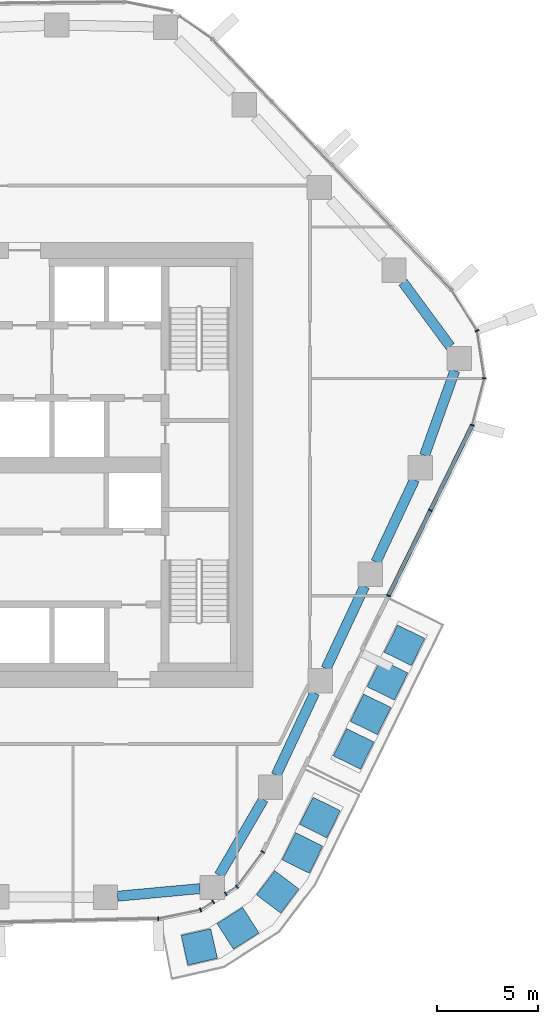
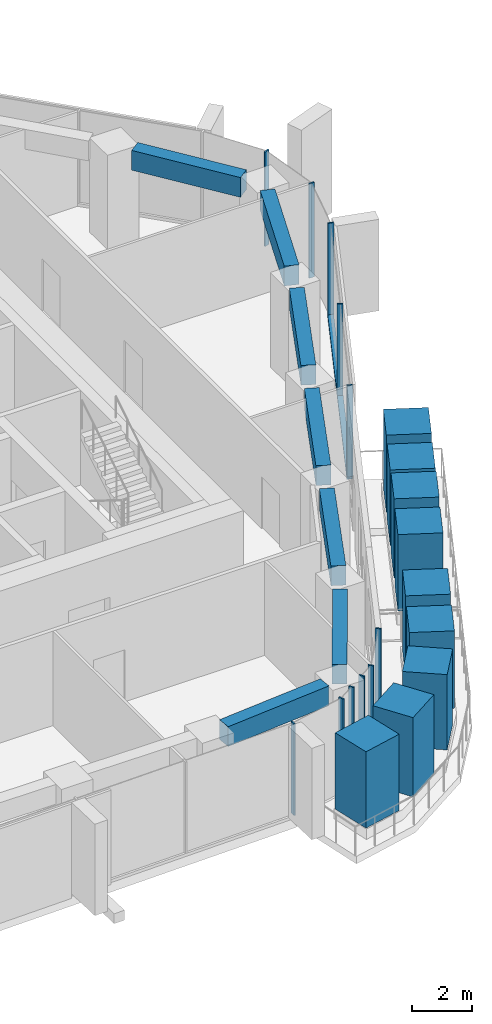
# One storey, part 4 of 17: 21 members, 7 beams, 5 elements without a shape of their own.
"""IFC4 building model written with IfcOpenShell, lengths in metres."""

from ifc_helpers import new_model, si_unit, direction, frame, origin, origin_2d, place, context, subcontext, project, spatial, rectangle, extrude, material, layer, layer_set, material_profile, profile_set, type_object, element, aggregate, save


model = new_model("IFC4")

# Units and contexts
model_context = context("Model", 3, precision=1e-05, world=origin(), true_north=direction((0.0, 1.0)))
body_context = subcontext(model_context, "Body", "Model", "MODEL_VIEW")
ifc_project = project(units=[si_unit("LENGTHUNIT", "METRE"), si_unit("AREAUNIT", "SQUARE_METRE"), si_unit("VOLUMEUNIT", "CUBIC_METRE"), si_unit("PLANEANGLEUNIT", "RADIAN"), si_unit("MASSUNIT", "GRAM", prefix="KILO")], contexts=[model_context])

# Site, building, storey
site_placement = place(None, origin())
site = spatial("IfcSite", under=ifc_project, at=site_placement, CompositionType="ELEMENT")
building_placement = place(site_placement, origin())
building = spatial("IfcBuilding", under=site, at=building_placement, Name="Dongbaek Canopy Tower", CompositionType="ELEMENT")
storey_placement = place(building_placement, frame((0.0, 0.0, 211.39990234375)))
storey = spatial("IfcBuildingStorey", under=building, at=storey_placement, Name="L44", CompositionType="ELEMENT", Elevation=211.39990234375)

# Curtain wall, members
ifc_material_1 = material(Name="Aluminium 6063-T6 pale anodised", Category="aluminium")
ifc_layer = layer(ifc_material_1, 0.199951171875)
ifc_layer_set = layer_set([ifc_layer], Name="CW-1 unitised tower curtain wall")
curtain_wall_type = type_object("IfcCurtainWallType", Name="CW-1 unitised tower curtain wall", PredefinedType="NOTDEFINED", material=ifc_layer_set)
curtain_wall_1_placement = place(storey_placement, origin())
curtain_wall_1 = element("IfcCurtainWall", 1, at=curtain_wall_1_placement, inside=storey, type_object=curtain_wall_type, Name="CW-1 curtain wall K0.1", PredefinedType="NOTDEFINED")
ifc_material_2 = material(Name="Aluminium 6063-T6 pale anodised", Category="aluminium")
ifc_material_profile_1 = material_profile(ifc_material_2, rectangle(XDim=0.199951171875, YDim=0.06005859375, at=origin_2d()), Name="CW-1 mullion 60 x 200")
ifc_profile_set_1 = profile_set([ifc_material_profile_1], Name="Aluminium 6063-T6 pale anodised")
member_type_1 = type_object("IfcMemberType", Name="CW-1 mullion 60 x 200", PredefinedType="MULLION", material=ifc_profile_set_1)
member_1_placement = place(storey_placement, frame((24.82666015625, 1.967041015625, 0.0), z_axis=(0.0, 0.0, 1.0), x_axis=(0.968104360691, -0.25054729456, 0.0)))
member_1 = element("IfcMember", 2, at=member_1_placement, type_object=member_type_1, Name="CW-1 mullion K0.1.1", PredefinedType="MULLION", context=body_context, shape_type="SweptSolid", body=[
    extrude(rectangle(XDim=0.199951171875, YDim=0.06005859375, at=origin_2d()), origin(), (0.0, 0.0, 1.0), 3.820068359375),
])
member_2_placement = place(storey_placement, frame((25.425048828125, 4.279541015625, 0.0), z_axis=(0.0, 0.0, 1.0), x_axis=(0.998738766758, -0.050208323753, 0.0)))
member_2 = element("IfcMember", 3, at=member_2_placement, type_object=member_type_1, Name="CW-1 mullion K0.1.2", PredefinedType="MULLION", context=body_context, shape_type="SweptSolid", body=[
    extrude(rectangle(XDim=0.199951171875, YDim=0.06005859375, at=origin_2d()), origin(), (0.0, 0.0, 1.0), 3.820068359375),
])
member_3_placement = place(storey_placement, frame((25.063232421875, 6.630126953125, 0.0), z_axis=(0.0, 0.0, 1.0), x_axis=(0.937367157878, 0.348342950742, 0.0)))
member_3 = element("IfcMember", 4, at=member_3_placement, type_object=member_type_1, Name="CW-1 mullion K0.1.3", PredefinedType="MULLION", context=body_context, shape_type="SweptSolid", body=[
    extrude(rectangle(XDim=0.199951171875, YDim=0.06005859375, at=origin_2d()), origin(), (0.0, 0.0, 1.0), 3.820068359375),
])
aggregate(curtain_wall_1, [member_1, member_2, member_3])

# Curtain wall, member
curtain_wall_2_placement = place(storey_placement, origin())
curtain_wall_2 = element("IfcCurtainWall", 5, at=curtain_wall_2_placement, inside=storey, type_object=curtain_wall_type, Name="CW-1 curtain wall F4.1", PredefinedType="NOTDEFINED")
member_4_placement = place(storey_placement, frame((9.306640625, -22.43017578125, 0.1201171875), z_axis=(0.0, 0.0, 1.0), x_axis=(0.023848776152, -0.99971557749, 0.0)))
member_4 = element("IfcMember", 6, at=member_4_placement, type_object=member_type_1, Name="CW-1 mullion F4.1.5", PredefinedType="MULLION", context=body_context, shape_type="SweptSolid", body=[
    extrude(rectangle(XDim=0.199951171875, YDim=0.06005859375, at=origin_2d()), origin(), (0.0, 0.0, 1.0), 3.699951171875),
])
aggregate(curtain_wall_2, [member_4])

# Curtain wall, members
curtain_wall_3_placement = place(storey_placement, origin())
curtain_wall_3 = element("IfcCurtainWall", 7, at=curtain_wall_3_placement, inside=storey, type_object=curtain_wall_type, Name="CW-1 curtain wall K5.1a", PredefinedType="NOTDEFINED")
member_5_placement = place(storey_placement, frame((11.403564453125, -21.99267578125, 0.0), z_axis=(0.0, 0.0, 1.0), x_axis=(0.377793715933, -0.925889792687, 0.0)))
member_5 = element("IfcMember", 8, at=member_5_placement, type_object=member_type_1, Name="CW-1 mullion K5.1a.2", PredefinedType="MULLION", context=body_context, shape_type="SweptSolid", body=[
    extrude(rectangle(XDim=0.199951171875, YDim=0.06005859375, at=origin_2d()), origin(), (0.0, 0.0, 1.0), 3.820068359375),
])
member_6_placement = place(storey_placement, frame((12.02587890625, -21.594482421875, 0.0), z_axis=(0.0, 0.0, 1.0), x_axis=(0.53895234409, -0.84233625756, 0.0)))
member_6 = element("IfcMember", 9, at=member_6_placement, type_object=member_type_1, Name="CW-1 mullion K5.1a.3", PredefinedType="MULLION", context=body_context, shape_type="SweptSolid", body=[
    extrude(rectangle(XDim=0.199951171875, YDim=0.06005859375, at=origin_2d()), origin(), (0.0, 0.0, 1.0), 3.820068359375),
])
aggregate(curtain_wall_3, [member_5, member_6])

curtain_wall_4_placement = place(storey_placement, origin())
curtain_wall_4 = element("IfcCurtainWall", 10, at=curtain_wall_4_placement, inside=storey, type_object=curtain_wall_type, Name="CW-1 curtain wall K5.1b", PredefinedType="NOTDEFINED")
member_7_placement = place(storey_placement, frame((12.64208984375, -21.2001953125, 0.0), z_axis=(0.0, 0.0, 1.0), x_axis=(0.53895234409, -0.84233625756, 0.0)))
member_7 = element("IfcMember", 11, at=member_7_placement, type_object=member_type_1, Name="CW-1 mullion K5.1b.1", PredefinedType="MULLION", context=body_context, shape_type="SweptSolid", body=[
    extrude(rectangle(XDim=0.199951171875, YDim=0.06005859375, at=origin_2d()), origin(), (0.0, 0.0, 1.0), 3.820068359375),
])
member_8_placement = place(storey_placement, frame((13.199951171875, -20.843505859375, 0.0), z_axis=(0.0, 0.0, 1.0), x_axis=(0.682350715779, -0.731024965836, 0.0)))
member_8 = element("IfcMember", 12, at=member_8_placement, type_object=member_type_1, Name="CW-1 mullion K5.1b.2", PredefinedType="MULLION", context=body_context, shape_type="SweptSolid", body=[
    extrude(rectangle(XDim=0.199951171875, YDim=0.06005859375, at=origin_2d()), origin(), (0.0, 0.0, 1.0), 3.820068359375),
])
member_9_placement = place(storey_placement, frame((14.4755859375, -19.122802734375, 0.0), z_axis=(0.0, 0.0, 1.0), x_axis=(0.803263381889, -0.595623991556, 0.0)))
member_9 = element("IfcMember", 13, at=member_9_placement, type_object=member_type_1, Name="CW-1 mullion K5.1b.3", PredefinedType="MULLION", context=body_context, shape_type="SweptSolid", body=[
    extrude(rectangle(XDim=0.199951171875, YDim=0.06005859375, at=origin_2d()), origin(), (0.0, 0.0, 1.0), 3.820068359375),
])
aggregate(curtain_wall_4, [member_7, member_8, member_9])

curtain_wall_5_placement = place(storey_placement, origin())
curtain_wall_5 = element("IfcCurtainWall", 14, at=curtain_wall_5_placement, inside=storey, type_object=curtain_wall_type, Name="CW-1 curtain wall F5.1", PredefinedType="NOTDEFINED")
member_10_placement = place(storey_placement, frame((20.687255859375, -6.466796875, 0.1201171875), z_axis=(0.0, 0.0, 1.0), x_axis=(0.897705871485, -0.440595243167, 0.0)))
member_10 = element("IfcMember", 15, at=member_10_placement, type_object=member_type_1, Name="CW-1 mullion F5.1.1", PredefinedType="MULLION", context=body_context, shape_type="SweptSolid", body=[
    extrude(rectangle(XDim=0.199951171875, YDim=0.06005859375, at=origin_2d()), origin(), (0.0, 0.0, 1.0), 3.699951171875),
])
member_11_placement = place(storey_placement, frame((22.75927734375, -2.245361328125, 0.1201171875), z_axis=(0.0, 0.0, 1.0), x_axis=(0.897705871485, -0.440595243167, 0.0)))
member_11 = element("IfcMember", 16, at=member_11_placement, type_object=member_type_1, Name="CW-1 mullion F5.1.2", PredefinedType="MULLION", context=body_context, shape_type="SweptSolid", body=[
    extrude(rectangle(XDim=0.199951171875, YDim=0.06005859375, at=origin_2d()), origin(), (0.0, 0.0, 1.0), 3.699951171875),
])
ifc_material_3 = material(Name="Aluminium 6063-T6 pale anodised", Category="aluminium")
ifc_material_profile_2 = material_profile(ifc_material_3, rectangle(XDim=0.199951171875, YDim=0.1201171875, at=origin_2d()), Name="CW-1 transom 120 x 200")
ifc_profile_set_2 = profile_set([ifc_material_profile_2], Name="Aluminium 6063-T6 pale anodised")
member_type_2 = type_object("IfcMemberType", Name="CW-1 transom 120 x 200", PredefinedType="USERDEFINED", material=ifc_profile_set_2)
member_12_placement = place(storey_placement, frame((20.687255859375, -6.466796875, 0.06005859375), z_axis=(0.440600850699, 0.897703119279, 0.0), x_axis=(-0.897703119279, 0.440600850699, 0.0)))
member_12 = element("IfcMember", 17, at=member_12_placement, type_object=member_type_2, Name="CW-1 transom F5.1.1", ObjectType="TRANSOM", PredefinedType="USERDEFINED", context=body_context, shape_type="SweptSolid", body=[
    extrude(rectangle(XDim=0.199951171875, YDim=0.1201171875, at=origin_2d()), origin(), (0.0, 0.0, 1.0), 9.39501953125),
])
aggregate(curtain_wall_5, [member_10, member_11, member_12])

# Beams
ifc_material_4 = material(Name="Concrete C70", Category="concrete")
ifc_material_profile_3 = material_profile(ifc_material_4, rectangle(XDim=0.5, YDim=0.800048828125, at=origin_2d()), Name="RC EDGE BEAM 500x800 C70")
ifc_profile_set_3 = profile_set([ifc_material_profile_3], Name="Concrete C70")
beam_type = type_object("IfcBeamType", Name="RC EDGE BEAM 500x800 C70", PredefinedType="BEAM", material=ifc_profile_set_3)
beam_1_placement = place(storey_placement, frame((11.3720703125, -20.9404296875, 3.420166015625), z_axis=(-0.995763065099, -0.091956066598, 0.0), x_axis=(0.091956066598, -0.995763065099, 0.0)))
element("IfcBeam", 18, at=beam_1_placement, inside=storey, type_object=beam_type, Name="EDGEBEAM:L44:00", PredefinedType="BEAM", context=body_context, shape_type="SweptSolid", body=[
    extrude(rectangle(XDim=0.5, YDim=0.800048828125, at=origin_2d()), origin(), (0.0, 0.0, 1.0), 4.09130859375),
])
beam_2_placement = place(storey_placement, frame((21.402587890625, 9.02099609375, 3.420166015625), z_axis=(0.593743199573, -0.804654592332, 0.0), x_axis=(0.804654592332, 0.593743199573, 0.0)))
element("IfcBeam", 19, at=beam_2_placement, inside=storey, type_object=beam_type, Name="EDGEBEAM:L44:20", PredefinedType="BEAM", context=body_context, shape_type="SweptSolid", body=[
    extrude(rectangle(XDim=0.5, YDim=0.800048828125, at=origin_2d()), origin(), (0.0, 0.0, 1.0), 3.93212890625),
])
beam_3_placement = place(storey_placement, frame((23.965576171875, 4.656982421875, 3.420166015625), z_axis=(-0.336398951073, -0.941719568511, 0.0), x_axis=(0.941719568511, -0.336398951073, 0.0)))
element("IfcBeam", 20, at=beam_3_placement, inside=storey, type_object=beam_type, Name="EDGEBEAM:L44:21", PredefinedType="BEAM", context=body_context, shape_type="SweptSolid", body=[
    extrude(rectangle(XDim=0.5, YDim=0.800048828125, at=origin_2d()), origin(), (0.0, 0.0, 1.0), 4.4501953125),
])
beam_4_placement = place(storey_placement, frame((21.972900390625, -0.73388671875, 3.420166015625), z_axis=(-0.424114752544, -0.905608456605, 0.0), x_axis=(0.905608456605, -0.424114752544, 0.0)))
element("IfcBeam", 21, at=beam_4_placement, inside=storey, type_object=beam_type, Name="EDGEBEAM:L44:22", PredefinedType="BEAM", context=body_context, shape_type="SweptSolid", body=[
    extrude(rectangle(XDim=0.5, YDim=0.800048828125, at=origin_2d()), origin(), (0.0, 0.0, 1.0), 4.489013671875),
])
beam_5_placement = place(storey_placement, frame((19.507080078125, -5.9990234375, 3.420166015625), z_axis=(-0.424057758342, -0.905635145956, 0.0), x_axis=(0.905635145956, -0.424057758342, 0.0)))
element("IfcBeam", 22, at=beam_5_placement, inside=storey, type_object=beam_type, Name="EDGEBEAM:L44:23", PredefinedType="BEAM", context=body_context, shape_type="SweptSolid", body=[
    extrude(rectangle(XDim=0.5, YDim=0.800048828125, at=origin_2d()), origin(), (0.0, 0.0, 1.0), 4.49072265625),
])
beam_6_placement = place(storey_placement, frame((17.041015625, -11.26611328125, 3.420166015625), z_axis=(-0.424275059541, -0.905533364295, 0.0), x_axis=(0.905533364295, -0.424275059541, 0.0)))
element("IfcBeam", 23, at=beam_6_placement, inside=storey, type_object=beam_type, Name="EDGEBEAM:L44:24", PredefinedType="BEAM", context=body_context, shape_type="SweptSolid", body=[
    extrude(rectangle(XDim=0.5, YDim=0.800048828125, at=origin_2d()), origin(), (0.0, 0.0, 1.0), 4.489990234375),
])
beam_7_placement = place(storey_placement, frame((14.505859375, -16.531982421875, 3.420166015625), z_axis=(-0.503073799677, -0.864243456486, 0.0), x_axis=(0.864243456486, -0.503073799677, 0.0)))
element("IfcBeam", 24, at=beam_7_placement, inside=storey, type_object=beam_type, Name="EDGEBEAM:L44:25", PredefinedType="BEAM", context=body_context, shape_type="SweptSolid", body=[
    extrude(rectangle(XDim=0.5, YDim=0.800048828125, at=origin_2d()), origin(), (0.0, 0.0, 1.0), 4.342529296875),
])

# Members
ifc_material_5 = material(Name="Concrete C40/50 planter mass with planting", Category="concrete")
ifc_material_profile_4 = material_profile(ifc_material_5, rectangle(XDim=1.5, YDim=1.5, at=origin_2d()), Name="Terrace PLANTER shrub mass 1500 x 1500")
ifc_profile_set_4 = profile_set([ifc_material_profile_4], Name="Concrete C40/50 planter mass with planting")
member_type_3 = type_object("IfcMemberType", Name="Terrace PLANTER shrub mass 1500 x 1500", PredefinedType="USERDEFINED", material=ifc_profile_set_4)
member_13_placement = place(storey_placement, frame((18.9658203125, -14.036865234375, 0.420166015625), z_axis=(0.0, 0.0, 1.0), x_axis=(0.897705871485, -0.440595243167, 0.0)))
element("IfcMember", 25, at=member_13_placement, inside=storey, type_object=member_type_3, Name="Planter shrubs L44 2.1", ObjectType="PLANTER", PredefinedType="USERDEFINED", context=body_context, shape_type="SweptSolid", body=[
    extrude(rectangle(XDim=1.5, YDim=1.5, at=origin_2d()), origin(), (0.0, 0.0, 1.0), 3.08984375),
])
member_14_placement = place(storey_placement, frame((19.803466796875, -12.330322265625, 0.420166015625), z_axis=(0.0, 0.0, 1.0), x_axis=(0.897705871485, -0.440595243167, 0.0)))
element("IfcMember", 26, at=member_14_placement, inside=storey, type_object=member_type_3, Name="Planter shrubs L44 2.2", ObjectType="PLANTER", PredefinedType="USERDEFINED", context=body_context, shape_type="SweptSolid", body=[
    extrude(rectangle(XDim=1.5, YDim=1.5, at=origin_2d()), origin(), (0.0, 0.0, 1.0), 3.2099609375),
])
member_15_placement = place(storey_placement, frame((20.64111328125, -10.62353515625, 0.420166015625), z_axis=(0.0, 0.0, 1.0), x_axis=(0.897705871485, -0.440595243167, 0.0)))
element("IfcMember", 27, at=member_15_placement, inside=storey, type_object=member_type_3, Name="Planter shrubs L44 2.3", ObjectType="PLANTER", PredefinedType="USERDEFINED", context=body_context, shape_type="SweptSolid", body=[
    extrude(rectangle(XDim=1.5, YDim=1.5, at=origin_2d()), origin(), (0.0, 0.0, 1.0), 3.050048828125),
])
member_16_placement = place(storey_placement, frame((21.478759765625, -8.916748046875, 0.420166015625), z_axis=(0.0, 0.0, 1.0), x_axis=(0.897705871485, -0.440595243167, 0.0)))
element("IfcMember", 28, at=member_16_placement, inside=storey, type_object=member_type_3, Name="Planter shrubs L44 2.4", ObjectType="PLANTER", PredefinedType="USERDEFINED", context=body_context, shape_type="SweptSolid", body=[
    extrude(rectangle(XDim=1.5, YDim=1.5, at=origin_2d()), origin(), (0.0, 0.0, 1.0), 3.1298828125),
])
member_17_placement = place(storey_placement, frame((11.3369140625, -23.821044921875, 0.420166015625), z_axis=(0.0, 0.0, 1.0), x_axis=(0.222024454883, -0.975041097305, 0.0)))
element("IfcMember", 29, at=member_17_placement, inside=storey, type_object=member_type_3, Name="Planter shrubs L44 4.1", ObjectType="PLANTER", PredefinedType="USERDEFINED", context=body_context, shape_type="SweptSolid", body=[
    extrude(rectangle(XDim=1.5, YDim=1.5, at=origin_2d()), origin(), (0.0, 0.0, 1.0), 3.08984375),
])
member_18_placement = place(storey_placement, frame((13.25146484375, -22.90234375, 0.420166015625), z_axis=(0.0, 0.0, 1.0), x_axis=(0.53895234409, -0.84233625756, 0.0)))
element("IfcMember", 30, at=member_18_placement, inside=storey, type_object=member_type_3, Name="Planter shrubs L44 4.2", ObjectType="PLANTER", PredefinedType="USERDEFINED", context=body_context, shape_type="SweptSolid", body=[
    extrude(rectangle(XDim=1.5, YDim=1.5, at=origin_2d()), origin(), (0.0, 0.0, 1.0), 3.2099609375),
])
member_19_placement = place(storey_placement, frame((15.213623046875, -21.103759765625, 0.420166015625), z_axis=(0.0, 0.0, 1.0), x_axis=(0.798508692351, -0.601983279037, 0.0)))
element("IfcMember", 31, at=member_19_placement, inside=storey, type_object=member_type_3, Name="Planter shrubs L44 4.3", ObjectType="PLANTER", PredefinedType="USERDEFINED", context=body_context, shape_type="SweptSolid", body=[
    extrude(rectangle(XDim=1.5, YDim=1.5, at=origin_2d()), origin(), (0.0, 0.0, 1.0), 3.050048828125),
])
member_20_placement = place(storey_placement, frame((16.4365234375, -19.178466796875, 0.420166015625), z_axis=(0.0, 0.0, 1.0), x_axis=(0.896917551646, -0.442197812692, 0.0)))
element("IfcMember", 32, at=member_20_placement, inside=storey, type_object=member_type_3, Name="Planter shrubs L44 4.4", ObjectType="PLANTER", PredefinedType="USERDEFINED", context=body_context, shape_type="SweptSolid", body=[
    extrude(rectangle(XDim=1.5, YDim=1.5, at=origin_2d()), origin(), (0.0, 0.0, 1.0), 3.1298828125),
])
member_21_placement = place(storey_placement, frame((17.300048828125, -17.427001953125, 0.420166015625), z_axis=(0.0, 0.0, 1.0), x_axis=(0.896917551646, -0.442197812692, 0.0)))
element("IfcMember", 33, at=member_21_placement, inside=storey, type_object=member_type_3, Name="Planter shrubs L44 4.5", ObjectType="PLANTER", PredefinedType="USERDEFINED", context=body_context, shape_type="SweptSolid", body=[
    extrude(rectangle(XDim=1.5, YDim=1.5, at=origin_2d()), origin(), (0.0, 0.0, 1.0), 3.25),
])

save(model, "model.ifc")
